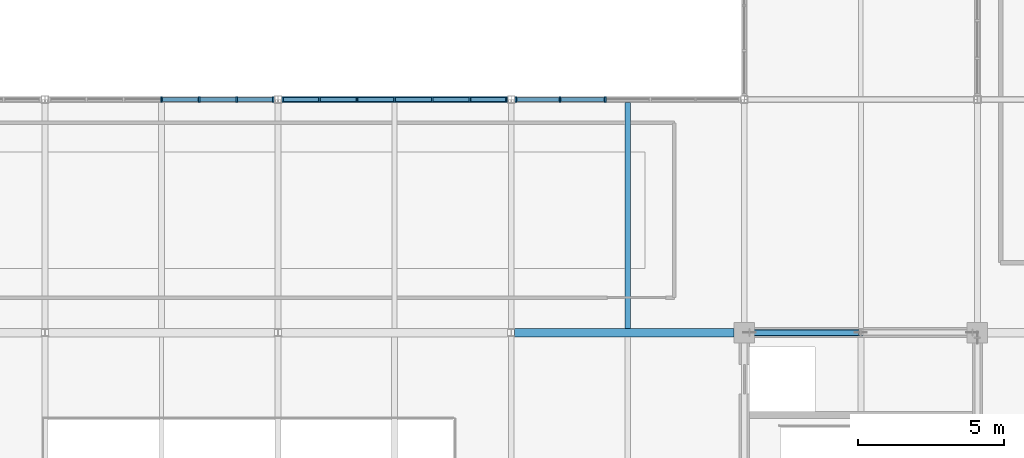
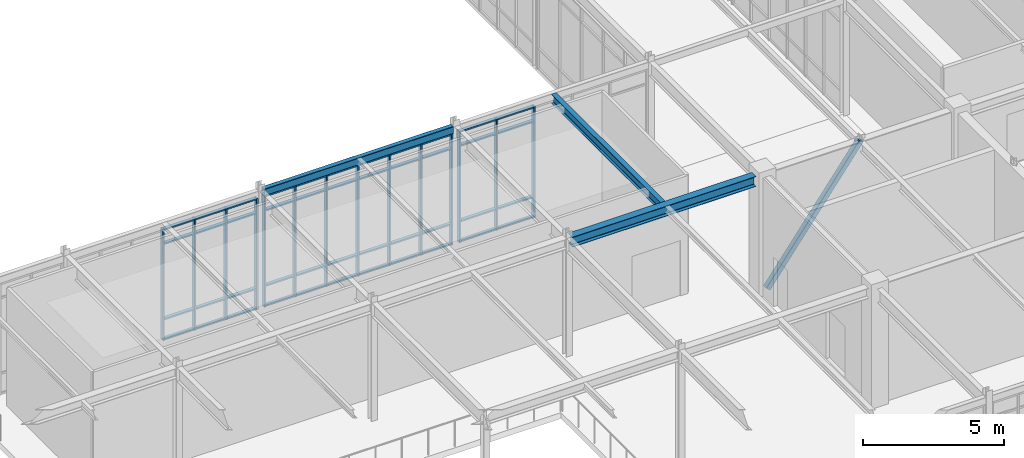
# One storey, part 54 of 184: 59 members, 3 beams, 3 elements without a shape of their own.
"""IFC4 building model written with IfcOpenShell, lengths in metres."""

from ifc_helpers import new_model, si_unit, direction, frame, origin, origin_2d, place, context, subcontext, project, spatial, rectangle, hollow_rectangle, i_section, extrude, material, material_profile, profile_set, type_object, element, aggregate, save


model = new_model("IFC4")

# Units and contexts
model_context = context("Model", 3, precision=1e-05, world=origin(), true_north=direction((0.0, 1.0)))
body_context = subcontext(model_context, "Body", "Model", "MODEL_VIEW")
ifc_project = project(units=[si_unit("LENGTHUNIT", "METRE"), si_unit("AREAUNIT", "SQUARE_METRE"), si_unit("VOLUMEUNIT", "CUBIC_METRE"), si_unit("PLANEANGLEUNIT", "RADIAN"), si_unit("MASSUNIT", "GRAM", prefix="KILO")], contexts=[model_context])

# Site, building, storey
site_placement = place(None, origin())
site = spatial("IfcSite", under=ifc_project, at=site_placement, CompositionType="ELEMENT")
building_placement = place(site_placement, origin())
building = spatial("IfcBuilding", under=site, at=building_placement, Name="Zhaolan Boulevard Law Courts", CompositionType="ELEMENT")
storey_placement = place(building_placement, frame((0.0, 0.0, 5.39990234375)))
storey = spatial("IfcBuildingStorey", under=building, at=storey_placement, Name="L01", CompositionType="ELEMENT", Elevation=5.39990234375)

# Member
ifc_material_1 = material(Name="Structural steel Q355B", Category="steel")
ifc_material_profile_1 = material_profile(ifc_material_1, hollow_rectangle(XDim=0.219970703125, YDim=0.219970703125, WallThickness=0.010009765625, InnerFilletRadius=0.010009765625, OuterFilletRadius=0.02001953125, at=origin_2d()), Name="HSS220x220x10")
ifc_profile_set_1 = profile_set([ifc_material_profile_1], Name="Structural steel Q355B")
member_type_1 = type_object("IfcMemberType", Name="BRACE HSS220", PredefinedType="BRACE", material=ifc_profile_set_1)
member_1_placement = place(storey_placement, frame((116.179931640625, 22.0, 0.030029296875), z_axis=(0.600251625626, 0.0, 0.799811218935), x_axis=(0.0, 1.0, 0.0)))
element("IfcMember", 1, at=member_1_placement, inside=storey, type_object=member_type_1, Name="Core Brace BR-P2-L01-N1", PredefinedType="BRACE", context=body_context, shape_type="SweptSolid", body=[
    extrude(hollow_rectangle(XDim=0.219970703125, YDim=0.219970703125, WallThickness=0.010009765625, InnerFilletRadius=0.010009765625, OuterFilletRadius=0.02001953125, at=origin_2d()), origin(), (0.0, 0.0, 1.0), 6.364013671875),
])

# Curtain wall, members
ifc_material_2 = material(Name="Thermally broken aluminium and low-E glazing", Category="aluminium")
curtain_wall_type_1 = type_object("IfcCurtainWallType", Name="CURTAIN WALL M5", PredefinedType="USERDEFINED", material=ifc_material_2)
curtain_wall_1_placement = place(storey_placement, origin())
curtain_wall_1 = element("IfcCurtainWall", 2, at=curtain_wall_1_placement, inside=storey, type_object=curtain_wall_type_1, Name="Curtain Wall CW-L01-053", ObjectType="CURTAIN WALL", PredefinedType="USERDEFINED")
ifc_material_3 = material(Name="Fluorocarbon-coated aluminium 6063-T6", Category="aluminium")
ifc_material_profile_2 = material_profile(ifc_material_3, rectangle(XDim=0.179931640625, YDim=0.06494140625, at=origin_2d()), Name="AL65x180")
ifc_profile_set_2 = profile_set([ifc_material_profile_2], Name="Fluorocarbon-coated aluminium 6063-T6")
member_type_2 = type_object("IfcMemberType", Name="CWMULLION 65X180", PredefinedType="MULLION", material=ifc_profile_set_2)
member_2_placement = place(storey_placement, frame((99.840576171875, 30.0, 0.0), z_axis=(0.0, 0.0, 1.0), x_axis=(0.0, -1.0, 0.0)))
member_2 = element("IfcMember", 3, at=member_2_placement, type_object=member_type_2, Name="CW-L01-053 mullion 1", PredefinedType="MULLION", context=body_context, shape_type="SweptSolid", body=[
    extrude(rectangle(XDim=0.179931640625, YDim=0.06494140625, at=origin_2d()), origin(), (0.0, 0.0, 1.0), 4.822998046875),
])
member_3_placement = place(storey_placement, frame((98.58203125, 30.0, 0.0), z_axis=(0.0, 0.0, 1.0), x_axis=(0.0, -1.0, 0.0)))
member_3 = element("IfcMember", 4, at=member_3_placement, type_object=member_type_2, Name="CW-L01-053 mullion 2", PredefinedType="MULLION", context=body_context, shape_type="SweptSolid", body=[
    extrude(rectangle(XDim=0.179931640625, YDim=0.06494140625, at=origin_2d()), origin(), (0.0, 0.0, 1.0), 4.822998046875),
])
member_4_placement = place(storey_placement, frame((97.291015625, 30.0, 0.0), z_axis=(0.0, 0.0, 1.0), x_axis=(0.0, -1.0, 0.0)))
member_4 = element("IfcMember", 5, at=member_4_placement, type_object=member_type_2, Name="CW-L01-053 mullion 3", PredefinedType="MULLION", context=body_context, shape_type="SweptSolid", body=[
    extrude(rectangle(XDim=0.179931640625, YDim=0.06494140625, at=origin_2d()), origin(), (0.0, 0.0, 1.0), 4.822998046875),
])
member_5_placement = place(storey_placement, frame((96.0, 30.0, 0.0), z_axis=(0.0, 0.0, 1.0), x_axis=(0.0, -1.0, 0.0)))
member_5 = element("IfcMember", 6, at=member_5_placement, type_object=member_type_2, Name="CW-L01-053 mullion 4", PredefinedType="MULLION", context=body_context, shape_type="SweptSolid", body=[
    extrude(rectangle(XDim=0.179931640625, YDim=0.06494140625, at=origin_2d()), origin(), (0.0, 0.0, 1.0), 4.822998046875),
])

ifc_material_4 = material(Name="Thermally broken aluminium and low-E glazing", Category="aluminium")
curtain_wall_type_2 = type_object("IfcCurtainWallType", Name="CURTAIN WALL M6", PredefinedType="USERDEFINED", material=ifc_material_4)
curtain_wall_2_placement = place(storey_placement, origin())
curtain_wall_2 = element("IfcCurtainWall", 7, at=curtain_wall_2_placement, inside=storey, type_object=curtain_wall_type_2, Name="Curtain Wall CW-L01-054", ObjectType="CURTAIN WALL", PredefinedType="USERDEFINED")
member_6_placement = place(storey_placement, frame((107.840576171875, 30.0, 0.0), z_axis=(0.0, 0.0, 1.0), x_axis=(0.0, -1.0, 0.0)))
member_6 = element("IfcMember", 8, at=member_6_placement, type_object=member_type_2, Name="CW-L01-054 mullion 1", PredefinedType="MULLION", context=body_context, shape_type="SweptSolid", body=[
    extrude(rectangle(XDim=0.179931640625, YDim=0.06494140625, at=origin_2d()), origin(), (0.0, 0.0, 1.0), 4.822998046875),
])
member_7_placement = place(storey_placement, frame((106.58203125, 30.0, 0.0), z_axis=(0.0, 0.0, 1.0), x_axis=(0.0, -1.0, 0.0)))
member_7 = element("IfcMember", 9, at=member_7_placement, type_object=member_type_2, Name="CW-L01-054 mullion 2", PredefinedType="MULLION", context=body_context, shape_type="SweptSolid", body=[
    extrude(rectangle(XDim=0.179931640625, YDim=0.06494140625, at=origin_2d()), origin(), (0.0, 0.0, 1.0), 4.822998046875),
])
member_8_placement = place(storey_placement, frame((105.291015625, 30.0, 0.0), z_axis=(0.0, 0.0, 1.0), x_axis=(0.0, -1.0, 0.0)))
member_8 = element("IfcMember", 10, at=member_8_placement, type_object=member_type_2, Name="CW-L01-054 mullion 3", PredefinedType="MULLION", context=body_context, shape_type="SweptSolid", body=[
    extrude(rectangle(XDim=0.179931640625, YDim=0.06494140625, at=origin_2d()), origin(), (0.0, 0.0, 1.0), 4.822998046875),
])
member_9_placement = place(storey_placement, frame((104.0, 30.0, 0.0), z_axis=(0.0, 0.0, 1.0), x_axis=(0.0, -1.0, 0.0)))
member_9 = element("IfcMember", 11, at=member_9_placement, type_object=member_type_2, Name="CW-L01-054 mullion 4", PredefinedType="MULLION", context=body_context, shape_type="SweptSolid", body=[
    extrude(rectangle(XDim=0.179931640625, YDim=0.06494140625, at=origin_2d()), origin(), (0.0, 0.0, 1.0), 4.822998046875),
])
member_10_placement = place(storey_placement, frame((102.708984375, 30.0, 0.0), z_axis=(0.0, 0.0, 1.0), x_axis=(0.0, -1.0, 0.0)))
member_10 = element("IfcMember", 12, at=member_10_placement, type_object=member_type_2, Name="CW-L01-054 mullion 5", PredefinedType="MULLION", context=body_context, shape_type="SweptSolid", body=[
    extrude(rectangle(XDim=0.179931640625, YDim=0.06494140625, at=origin_2d()), origin(), (0.0, 0.0, 1.0), 4.822998046875),
])
member_11_placement = place(storey_placement, frame((101.41796875, 30.0, 0.0), z_axis=(0.0, 0.0, 1.0), x_axis=(0.0, -1.0, 0.0)))
member_11 = element("IfcMember", 13, at=member_11_placement, type_object=member_type_2, Name="CW-L01-054 mullion 6", PredefinedType="MULLION", context=body_context, shape_type="SweptSolid", body=[
    extrude(rectangle(XDim=0.179931640625, YDim=0.06494140625, at=origin_2d()), origin(), (0.0, 0.0, 1.0), 4.822998046875),
])
member_12_placement = place(storey_placement, frame((100.159423828125, 30.0, 0.0), z_axis=(0.0, 0.0, 1.0), x_axis=(0.0, -1.0, 0.0)))
member_12 = element("IfcMember", 14, at=member_12_placement, type_object=member_type_2, Name="CW-L01-054 mullion 7", PredefinedType="MULLION", context=body_context, shape_type="SweptSolid", body=[
    extrude(rectangle(XDim=0.179931640625, YDim=0.06494140625, at=origin_2d()), origin(), (0.0, 0.0, 1.0), 4.822998046875),
])

ifc_material_5 = material(Name="Thermally broken aluminium and low-E glazing", Category="aluminium")
curtain_wall_type_3 = type_object("IfcCurtainWallType", Name="CURTAIN WALL M7", PredefinedType="USERDEFINED", material=ifc_material_5)
curtain_wall_3_placement = place(storey_placement, origin())
curtain_wall_3 = element("IfcCurtainWall", 15, at=curtain_wall_3_placement, inside=storey, type_object=curtain_wall_type_3, Name="Curtain Wall CW-L01-055", ObjectType="CURTAIN WALL", PredefinedType="USERDEFINED")
member_13_placement = place(storey_placement, frame((111.225341796875, 30.0, 0.0), z_axis=(0.0, 0.0, 1.0), x_axis=(0.0, -1.0, 0.0)))
member_13 = element("IfcMember", 16, at=member_13_placement, type_object=member_type_2, Name="CW-L01-055 mullion 4", PredefinedType="MULLION", context=body_context, shape_type="SweptSolid", body=[
    extrude(rectangle(XDim=0.179931640625, YDim=0.06494140625, at=origin_2d()), origin(), (0.0, 0.0, 1.0), 4.822998046875),
])
member_14_placement = place(storey_placement, frame((109.67626953125, 30.0, 0.0), z_axis=(0.0, 0.0, 1.0), x_axis=(0.0, -1.0, 0.0)))
member_14 = element("IfcMember", 17, at=member_14_placement, type_object=member_type_2, Name="CW-L01-055 mullion 5", PredefinedType="MULLION", context=body_context, shape_type="SweptSolid", body=[
    extrude(rectangle(XDim=0.179931640625, YDim=0.06494140625, at=origin_2d()), origin(), (0.0, 0.0, 1.0), 4.822998046875),
])
member_15_placement = place(storey_placement, frame((108.159423828125, 30.0, 0.0), z_axis=(0.0, 0.0, 1.0), x_axis=(0.0, -1.0, 0.0)))
member_15 = element("IfcMember", 18, at=member_15_placement, type_object=member_type_2, Name="CW-L01-055 mullion 6", PredefinedType="MULLION", context=body_context, shape_type="SweptSolid", body=[
    extrude(rectangle(XDim=0.179931640625, YDim=0.06494140625, at=origin_2d()), origin(), (0.0, 0.0, 1.0), 4.822998046875),
])

# Member
ifc_material_6 = material(Name="Fluorocarbon-coated aluminium 6063-T6", Category="aluminium")
ifc_material_profile_3 = material_profile(ifc_material_6, rectangle(XDim=0.139892578125, YDim=0.06494140625, at=origin_2d()), Name="AL65x140")
ifc_profile_set_3 = profile_set([ifc_material_profile_3], Name="Fluorocarbon-coated aluminium 6063-T6")
member_type_3 = type_object("IfcMemberType", Name="CWTRANSOM 65X140", PredefinedType="USERDEFINED", material=ifc_profile_set_3)
member_16_placement = place(storey_placement, frame((99.80810546875, 30.0, 0.03271484375), z_axis=(-1.0, 0.0, 0.0), x_axis=(0.0, -1.0, 0.0)))
member_16 = element("IfcMember", 19, at=member_16_placement, type_object=member_type_3, Name="CW-L01-053 transom 1.1", ObjectType="TRANSOM", PredefinedType="USERDEFINED", context=body_context, shape_type="SweptSolid", body=[
    extrude(rectangle(XDim=0.139892578125, YDim=0.06494140625, at=origin_2d()), origin(), (0.0, 0.0, 1.0), 1.193603515625),
])

member_17_placement = place(storey_placement, frame((99.80810546875, 30.0, 0.900146484375), z_axis=(-1.0, 0.0, 0.0), x_axis=(0.0, -1.0, 0.0)))
member_17 = element("IfcMember", 20, at=member_17_placement, type_object=member_type_3, Name="CW-L01-053 transom 1.2", ObjectType="TRANSOM", PredefinedType="USERDEFINED", context=body_context, shape_type="SweptSolid", body=[
    extrude(rectangle(XDim=0.139892578125, YDim=0.06494140625, at=origin_2d()), origin(), (0.0, 0.0, 1.0), 1.193603515625),
])

member_18_placement = place(storey_placement, frame((99.80810546875, 30.0, 4.173095703125), z_axis=(-1.0, 0.0, 0.0), x_axis=(0.0, -1.0, 0.0)))
member_18 = element("IfcMember", 21, at=member_18_placement, type_object=member_type_3, Name="CW-L01-053 transom 1.3", ObjectType="TRANSOM", PredefinedType="USERDEFINED", context=body_context, shape_type="SweptSolid", body=[
    extrude(rectangle(XDim=0.139892578125, YDim=0.06494140625, at=origin_2d()), origin(), (0.0, 0.0, 1.0), 1.193603515625),
])

member_19_placement = place(storey_placement, frame((99.80810546875, 30.0, 4.79052734375), z_axis=(-1.0, 0.0, 0.0), x_axis=(0.0, -1.0, 0.0)))
member_19 = element("IfcMember", 22, at=member_19_placement, type_object=member_type_3, Name="CW-L01-053 transom 1.4", ObjectType="TRANSOM", PredefinedType="USERDEFINED", context=body_context, shape_type="SweptSolid", body=[
    extrude(rectangle(XDim=0.139892578125, YDim=0.06494140625, at=origin_2d()), origin(), (0.0, 0.0, 1.0), 1.193603515625),
])

member_20_placement = place(storey_placement, frame((98.549560546875, 30.0, 0.03271484375), z_axis=(-1.0, 0.0, 0.0), x_axis=(0.0, -1.0, 0.0)))
member_20 = element("IfcMember", 23, at=member_20_placement, type_object=member_type_3, Name="CW-L01-053 transom 2.1", ObjectType="TRANSOM", PredefinedType="USERDEFINED", context=body_context, shape_type="SweptSolid", body=[
    extrude(rectangle(XDim=0.139892578125, YDim=0.06494140625, at=origin_2d()), origin(), (0.0, 0.0, 1.0), 1.22607421875),
])

member_21_placement = place(storey_placement, frame((98.549560546875, 30.0, 0.900146484375), z_axis=(-1.0, 0.0, 0.0), x_axis=(0.0, -1.0, 0.0)))
member_21 = element("IfcMember", 24, at=member_21_placement, type_object=member_type_3, Name="CW-L01-053 transom 2.2", ObjectType="TRANSOM", PredefinedType="USERDEFINED", context=body_context, shape_type="SweptSolid", body=[
    extrude(rectangle(XDim=0.139892578125, YDim=0.06494140625, at=origin_2d()), origin(), (0.0, 0.0, 1.0), 1.22607421875),
])

member_22_placement = place(storey_placement, frame((98.549560546875, 30.0, 4.173095703125), z_axis=(-1.0, 0.0, 0.0), x_axis=(0.0, -1.0, 0.0)))
member_22 = element("IfcMember", 25, at=member_22_placement, type_object=member_type_3, Name="CW-L01-053 transom 2.3", ObjectType="TRANSOM", PredefinedType="USERDEFINED", context=body_context, shape_type="SweptSolid", body=[
    extrude(rectangle(XDim=0.139892578125, YDim=0.06494140625, at=origin_2d()), origin(), (0.0, 0.0, 1.0), 1.22607421875),
])

member_23_placement = place(storey_placement, frame((98.549560546875, 30.0, 4.79052734375), z_axis=(-1.0, 0.0, 0.0), x_axis=(0.0, -1.0, 0.0)))
member_23 = element("IfcMember", 26, at=member_23_placement, type_object=member_type_3, Name="CW-L01-053 transom 2.4", ObjectType="TRANSOM", PredefinedType="USERDEFINED", context=body_context, shape_type="SweptSolid", body=[
    extrude(rectangle(XDim=0.139892578125, YDim=0.06494140625, at=origin_2d()), origin(), (0.0, 0.0, 1.0), 1.22607421875),
])

member_24_placement = place(storey_placement, frame((97.258544921875, 30.0, 0.03271484375), z_axis=(-1.0, 0.0, 0.0), x_axis=(0.0, -1.0, 0.0)))
member_24 = element("IfcMember", 27, at=member_24_placement, type_object=member_type_3, Name="CW-L01-053 transom 3.1", ObjectType="TRANSOM", PredefinedType="USERDEFINED", context=body_context, shape_type="SweptSolid", body=[
    extrude(rectangle(XDim=0.139892578125, YDim=0.06494140625, at=origin_2d()), origin(), (0.0, 0.0, 1.0), 1.22607421875),
])

member_25_placement = place(storey_placement, frame((97.258544921875, 30.0, 0.900146484375), z_axis=(-1.0, 0.0, 0.0), x_axis=(0.0, -1.0, 0.0)))
member_25 = element("IfcMember", 28, at=member_25_placement, type_object=member_type_3, Name="CW-L01-053 transom 3.2", ObjectType="TRANSOM", PredefinedType="USERDEFINED", context=body_context, shape_type="SweptSolid", body=[
    extrude(rectangle(XDim=0.139892578125, YDim=0.06494140625, at=origin_2d()), origin(), (0.0, 0.0, 1.0), 1.22607421875),
])

member_26_placement = place(storey_placement, frame((97.258544921875, 30.0, 4.173095703125), z_axis=(-1.0, 0.0, 0.0), x_axis=(0.0, -1.0, 0.0)))
member_26 = element("IfcMember", 29, at=member_26_placement, type_object=member_type_3, Name="CW-L01-053 transom 3.3", ObjectType="TRANSOM", PredefinedType="USERDEFINED", context=body_context, shape_type="SweptSolid", body=[
    extrude(rectangle(XDim=0.139892578125, YDim=0.06494140625, at=origin_2d()), origin(), (0.0, 0.0, 1.0), 1.22607421875),
])

member_27_placement = place(storey_placement, frame((97.258544921875, 30.0, 4.79052734375), z_axis=(-1.0, 0.0, 0.0), x_axis=(0.0, -1.0, 0.0)))
member_27 = element("IfcMember", 30, at=member_27_placement, type_object=member_type_3, Name="CW-L01-053 transom 3.4", ObjectType="TRANSOM", PredefinedType="USERDEFINED", context=body_context, shape_type="SweptSolid", body=[
    extrude(rectangle(XDim=0.139892578125, YDim=0.06494140625, at=origin_2d()), origin(), (0.0, 0.0, 1.0), 1.22607421875),
])

aggregate(curtain_wall_1, [member_2, member_3, member_4, member_5, member_16, member_17, member_18, member_19, member_20, member_21, member_22, member_23, member_24, member_25, member_26, member_27])

member_28_placement = place(storey_placement, frame((107.80810546875, 30.0, 0.03271484375), z_axis=(-1.0, 0.0, 0.0), x_axis=(0.0, -1.0, 0.0)))
member_28 = element("IfcMember", 31, at=member_28_placement, type_object=member_type_3, Name="CW-L01-054 transom 1.1", ObjectType="TRANSOM", PredefinedType="USERDEFINED", context=body_context, shape_type="SweptSolid", body=[
    extrude(rectangle(XDim=0.139892578125, YDim=0.06494140625, at=origin_2d()), origin(), (0.0, 0.0, 1.0), 1.193603515625),
])

member_29_placement = place(storey_placement, frame((107.80810546875, 30.0, 0.900146484375), z_axis=(-1.0, 0.0, 0.0), x_axis=(0.0, -1.0, 0.0)))
member_29 = element("IfcMember", 32, at=member_29_placement, type_object=member_type_3, Name="CW-L01-054 transom 1.2", ObjectType="TRANSOM", PredefinedType="USERDEFINED", context=body_context, shape_type="SweptSolid", body=[
    extrude(rectangle(XDim=0.139892578125, YDim=0.06494140625, at=origin_2d()), origin(), (0.0, 0.0, 1.0), 1.193603515625),
])

member_30_placement = place(storey_placement, frame((107.80810546875, 30.0, 4.173095703125), z_axis=(-1.0, 0.0, 0.0), x_axis=(0.0, -1.0, 0.0)))
member_30 = element("IfcMember", 33, at=member_30_placement, type_object=member_type_3, Name="CW-L01-054 transom 1.3", ObjectType="TRANSOM", PredefinedType="USERDEFINED", context=body_context, shape_type="SweptSolid", body=[
    extrude(rectangle(XDim=0.139892578125, YDim=0.06494140625, at=origin_2d()), origin(), (0.0, 0.0, 1.0), 1.193603515625),
])

member_31_placement = place(storey_placement, frame((107.80810546875, 30.0, 4.79052734375), z_axis=(-1.0, 0.0, 0.0), x_axis=(0.0, -1.0, 0.0)))
member_31 = element("IfcMember", 34, at=member_31_placement, type_object=member_type_3, Name="CW-L01-054 transom 1.4", ObjectType="TRANSOM", PredefinedType="USERDEFINED", context=body_context, shape_type="SweptSolid", body=[
    extrude(rectangle(XDim=0.139892578125, YDim=0.06494140625, at=origin_2d()), origin(), (0.0, 0.0, 1.0), 1.193603515625),
])

member_32_placement = place(storey_placement, frame((106.549560546875, 30.0, 0.03271484375), z_axis=(-1.0, 0.0, 0.0), x_axis=(0.0, -1.0, 0.0)))
member_32 = element("IfcMember", 35, at=member_32_placement, type_object=member_type_3, Name="CW-L01-054 transom 2.1", ObjectType="TRANSOM", PredefinedType="USERDEFINED", context=body_context, shape_type="SweptSolid", body=[
    extrude(rectangle(XDim=0.139892578125, YDim=0.06494140625, at=origin_2d()), origin(), (0.0, 0.0, 1.0), 1.22607421875),
])

member_33_placement = place(storey_placement, frame((106.549560546875, 30.0, 0.900146484375), z_axis=(-1.0, 0.0, 0.0), x_axis=(0.0, -1.0, 0.0)))
member_33 = element("IfcMember", 36, at=member_33_placement, type_object=member_type_3, Name="CW-L01-054 transom 2.2", ObjectType="TRANSOM", PredefinedType="USERDEFINED", context=body_context, shape_type="SweptSolid", body=[
    extrude(rectangle(XDim=0.139892578125, YDim=0.06494140625, at=origin_2d()), origin(), (0.0, 0.0, 1.0), 1.22607421875),
])

member_34_placement = place(storey_placement, frame((106.549560546875, 30.0, 4.173095703125), z_axis=(-1.0, 0.0, 0.0), x_axis=(0.0, -1.0, 0.0)))
member_34 = element("IfcMember", 37, at=member_34_placement, type_object=member_type_3, Name="CW-L01-054 transom 2.3", ObjectType="TRANSOM", PredefinedType="USERDEFINED", context=body_context, shape_type="SweptSolid", body=[
    extrude(rectangle(XDim=0.139892578125, YDim=0.06494140625, at=origin_2d()), origin(), (0.0, 0.0, 1.0), 1.22607421875),
])

member_35_placement = place(storey_placement, frame((106.549560546875, 30.0, 4.79052734375), z_axis=(-1.0, 0.0, 0.0), x_axis=(0.0, -1.0, 0.0)))
member_35 = element("IfcMember", 38, at=member_35_placement, type_object=member_type_3, Name="CW-L01-054 transom 2.4", ObjectType="TRANSOM", PredefinedType="USERDEFINED", context=body_context, shape_type="SweptSolid", body=[
    extrude(rectangle(XDim=0.139892578125, YDim=0.06494140625, at=origin_2d()), origin(), (0.0, 0.0, 1.0), 1.22607421875),
])

member_36_placement = place(storey_placement, frame((105.258544921875, 30.0, 0.03271484375), z_axis=(-1.0, 0.0, 0.0), x_axis=(0.0, -1.0, 0.0)))
member_36 = element("IfcMember", 39, at=member_36_placement, type_object=member_type_3, Name="CW-L01-054 transom 3.1", ObjectType="TRANSOM", PredefinedType="USERDEFINED", context=body_context, shape_type="SweptSolid", body=[
    extrude(rectangle(XDim=0.139892578125, YDim=0.06494140625, at=origin_2d()), origin(), (0.0, 0.0, 1.0), 1.22607421875),
])

member_37_placement = place(storey_placement, frame((105.258544921875, 30.0, 0.900146484375), z_axis=(-1.0, 0.0, 0.0), x_axis=(0.0, -1.0, 0.0)))
member_37 = element("IfcMember", 40, at=member_37_placement, type_object=member_type_3, Name="CW-L01-054 transom 3.2", ObjectType="TRANSOM", PredefinedType="USERDEFINED", context=body_context, shape_type="SweptSolid", body=[
    extrude(rectangle(XDim=0.139892578125, YDim=0.06494140625, at=origin_2d()), origin(), (0.0, 0.0, 1.0), 1.22607421875),
])

member_38_placement = place(storey_placement, frame((105.258544921875, 30.0, 4.173095703125), z_axis=(-1.0, 0.0, 0.0), x_axis=(0.0, -1.0, 0.0)))
member_38 = element("IfcMember", 41, at=member_38_placement, type_object=member_type_3, Name="CW-L01-054 transom 3.3", ObjectType="TRANSOM", PredefinedType="USERDEFINED", context=body_context, shape_type="SweptSolid", body=[
    extrude(rectangle(XDim=0.139892578125, YDim=0.06494140625, at=origin_2d()), origin(), (0.0, 0.0, 1.0), 1.22607421875),
])

member_39_placement = place(storey_placement, frame((105.258544921875, 30.0, 4.79052734375), z_axis=(-1.0, 0.0, 0.0), x_axis=(0.0, -1.0, 0.0)))
member_39 = element("IfcMember", 42, at=member_39_placement, type_object=member_type_3, Name="CW-L01-054 transom 3.4", ObjectType="TRANSOM", PredefinedType="USERDEFINED", context=body_context, shape_type="SweptSolid", body=[
    extrude(rectangle(XDim=0.139892578125, YDim=0.06494140625, at=origin_2d()), origin(), (0.0, 0.0, 1.0), 1.22607421875),
])

member_40_placement = place(storey_placement, frame((103.967529296875, 30.0, 0.03271484375), z_axis=(-1.0, 0.0, 0.0), x_axis=(0.0, -1.0, 0.0)))
member_40 = element("IfcMember", 43, at=member_40_placement, type_object=member_type_3, Name="CW-L01-054 transom 4.1", ObjectType="TRANSOM", PredefinedType="USERDEFINED", context=body_context, shape_type="SweptSolid", body=[
    extrude(rectangle(XDim=0.139892578125, YDim=0.06494140625, at=origin_2d()), origin(), (0.0, 0.0, 1.0), 1.22607421875),
])

member_41_placement = place(storey_placement, frame((103.967529296875, 30.0, 0.900146484375), z_axis=(-1.0, 0.0, 0.0), x_axis=(0.0, -1.0, 0.0)))
member_41 = element("IfcMember", 44, at=member_41_placement, type_object=member_type_3, Name="CW-L01-054 transom 4.2", ObjectType="TRANSOM", PredefinedType="USERDEFINED", context=body_context, shape_type="SweptSolid", body=[
    extrude(rectangle(XDim=0.139892578125, YDim=0.06494140625, at=origin_2d()), origin(), (0.0, 0.0, 1.0), 1.22607421875),
])

member_42_placement = place(storey_placement, frame((103.967529296875, 30.0, 4.173095703125), z_axis=(-1.0, 0.0, 0.0), x_axis=(0.0, -1.0, 0.0)))
member_42 = element("IfcMember", 45, at=member_42_placement, type_object=member_type_3, Name="CW-L01-054 transom 4.3", ObjectType="TRANSOM", PredefinedType="USERDEFINED", context=body_context, shape_type="SweptSolid", body=[
    extrude(rectangle(XDim=0.139892578125, YDim=0.06494140625, at=origin_2d()), origin(), (0.0, 0.0, 1.0), 1.22607421875),
])

member_43_placement = place(storey_placement, frame((103.967529296875, 30.0, 4.79052734375), z_axis=(-1.0, 0.0, 0.0), x_axis=(0.0, -1.0, 0.0)))
member_43 = element("IfcMember", 46, at=member_43_placement, type_object=member_type_3, Name="CW-L01-054 transom 4.4", ObjectType="TRANSOM", PredefinedType="USERDEFINED", context=body_context, shape_type="SweptSolid", body=[
    extrude(rectangle(XDim=0.139892578125, YDim=0.06494140625, at=origin_2d()), origin(), (0.0, 0.0, 1.0), 1.22607421875),
])

member_44_placement = place(storey_placement, frame((102.676513671875, 30.0, 0.03271484375), z_axis=(-1.0, 0.0, 0.0), x_axis=(0.0, -1.0, 0.0)))
member_44 = element("IfcMember", 47, at=member_44_placement, type_object=member_type_3, Name="CW-L01-054 transom 5.1", ObjectType="TRANSOM", PredefinedType="USERDEFINED", context=body_context, shape_type="SweptSolid", body=[
    extrude(rectangle(XDim=0.139892578125, YDim=0.06494140625, at=origin_2d()), origin(), (0.0, 0.0, 1.0), 1.22607421875),
])

member_45_placement = place(storey_placement, frame((102.676513671875, 30.0, 0.900146484375), z_axis=(-1.0, 0.0, 0.0), x_axis=(0.0, -1.0, 0.0)))
member_45 = element("IfcMember", 48, at=member_45_placement, type_object=member_type_3, Name="CW-L01-054 transom 5.2", ObjectType="TRANSOM", PredefinedType="USERDEFINED", context=body_context, shape_type="SweptSolid", body=[
    extrude(rectangle(XDim=0.139892578125, YDim=0.06494140625, at=origin_2d()), origin(), (0.0, 0.0, 1.0), 1.22607421875),
])

member_46_placement = place(storey_placement, frame((102.676513671875, 30.0, 4.173095703125), z_axis=(-1.0, 0.0, 0.0), x_axis=(0.0, -1.0, 0.0)))
member_46 = element("IfcMember", 49, at=member_46_placement, type_object=member_type_3, Name="CW-L01-054 transom 5.3", ObjectType="TRANSOM", PredefinedType="USERDEFINED", context=body_context, shape_type="SweptSolid", body=[
    extrude(rectangle(XDim=0.139892578125, YDim=0.06494140625, at=origin_2d()), origin(), (0.0, 0.0, 1.0), 1.22607421875),
])

member_47_placement = place(storey_placement, frame((102.676513671875, 30.0, 4.79052734375), z_axis=(-1.0, 0.0, 0.0), x_axis=(0.0, -1.0, 0.0)))
member_47 = element("IfcMember", 50, at=member_47_placement, type_object=member_type_3, Name="CW-L01-054 transom 5.4", ObjectType="TRANSOM", PredefinedType="USERDEFINED", context=body_context, shape_type="SweptSolid", body=[
    extrude(rectangle(XDim=0.139892578125, YDim=0.06494140625, at=origin_2d()), origin(), (0.0, 0.0, 1.0), 1.22607421875),
])

member_48_placement = place(storey_placement, frame((101.385498046875, 30.0, 0.03271484375), z_axis=(-1.0, 0.0, 0.0), x_axis=(0.0, -1.0, 0.0)))
member_48 = element("IfcMember", 51, at=member_48_placement, type_object=member_type_3, Name="CW-L01-054 transom 6.1", ObjectType="TRANSOM", PredefinedType="USERDEFINED", context=body_context, shape_type="SweptSolid", body=[
    extrude(rectangle(XDim=0.139892578125, YDim=0.06494140625, at=origin_2d()), origin(), (0.0, 0.0, 1.0), 1.193603515625),
])

member_49_placement = place(storey_placement, frame((101.385498046875, 30.0, 0.900146484375), z_axis=(-1.0, 0.0, 0.0), x_axis=(0.0, -1.0, 0.0)))
member_49 = element("IfcMember", 52, at=member_49_placement, type_object=member_type_3, Name="CW-L01-054 transom 6.2", ObjectType="TRANSOM", PredefinedType="USERDEFINED", context=body_context, shape_type="SweptSolid", body=[
    extrude(rectangle(XDim=0.139892578125, YDim=0.06494140625, at=origin_2d()), origin(), (0.0, 0.0, 1.0), 1.193603515625),
])

member_50_placement = place(storey_placement, frame((101.385498046875, 30.0, 4.173095703125), z_axis=(-1.0, 0.0, 0.0), x_axis=(0.0, -1.0, 0.0)))
member_50 = element("IfcMember", 53, at=member_50_placement, type_object=member_type_3, Name="CW-L01-054 transom 6.3", ObjectType="TRANSOM", PredefinedType="USERDEFINED", context=body_context, shape_type="SweptSolid", body=[
    extrude(rectangle(XDim=0.139892578125, YDim=0.06494140625, at=origin_2d()), origin(), (0.0, 0.0, 1.0), 1.193603515625),
])

member_51_placement = place(storey_placement, frame((101.385498046875, 30.0, 4.79052734375), z_axis=(-1.0, 0.0, 0.0), x_axis=(0.0, -1.0, 0.0)))
member_51 = element("IfcMember", 54, at=member_51_placement, type_object=member_type_3, Name="CW-L01-054 transom 6.4", ObjectType="TRANSOM", PredefinedType="USERDEFINED", context=body_context, shape_type="SweptSolid", body=[
    extrude(rectangle(XDim=0.139892578125, YDim=0.06494140625, at=origin_2d()), origin(), (0.0, 0.0, 1.0), 1.193603515625),
])

aggregate(curtain_wall_2, [member_6, member_7, member_8, member_9, member_10, member_11, member_12, member_28, member_29, member_30, member_31, member_32, member_33, member_34, member_35, member_36, member_37, member_38, member_39, member_40, member_41, member_42, member_43, member_44, member_45, member_46, member_47, member_48, member_49, member_50, member_51])

member_52_placement = place(storey_placement, frame((111.19287109375, 30.0, 0.03271484375), z_axis=(-1.0, 0.0, 0.0), x_axis=(0.0, -1.0, 0.0)))
member_52 = element("IfcMember", 55, at=member_52_placement, type_object=member_type_3, Name="CW-L01-055 transom 4.1", ObjectType="TRANSOM", PredefinedType="USERDEFINED", context=body_context, shape_type="SweptSolid", body=[
    extrude(rectangle(XDim=0.139892578125, YDim=0.06494140625, at=origin_2d()), origin(), (0.0, 0.0, 1.0), 1.484130859375),
])

member_53_placement = place(storey_placement, frame((111.19287109375, 30.0, 0.900146484375), z_axis=(-1.0, 0.0, 0.0), x_axis=(0.0, -1.0, 0.0)))
member_53 = element("IfcMember", 56, at=member_53_placement, type_object=member_type_3, Name="CW-L01-055 transom 4.2", ObjectType="TRANSOM", PredefinedType="USERDEFINED", context=body_context, shape_type="SweptSolid", body=[
    extrude(rectangle(XDim=0.139892578125, YDim=0.06494140625, at=origin_2d()), origin(), (0.0, 0.0, 1.0), 1.484130859375),
])

member_54_placement = place(storey_placement, frame((111.19287109375, 30.0, 4.173095703125), z_axis=(-1.0, 0.0, 0.0), x_axis=(0.0, -1.0, 0.0)))
member_54 = element("IfcMember", 57, at=member_54_placement, type_object=member_type_3, Name="CW-L01-055 transom 4.3", ObjectType="TRANSOM", PredefinedType="USERDEFINED", context=body_context, shape_type="SweptSolid", body=[
    extrude(rectangle(XDim=0.139892578125, YDim=0.06494140625, at=origin_2d()), origin(), (0.0, 0.0, 1.0), 1.484130859375),
])

member_55_placement = place(storey_placement, frame((111.19287109375, 30.0, 4.79052734375), z_axis=(-1.0, 0.0, 0.0), x_axis=(0.0, -1.0, 0.0)))
member_55 = element("IfcMember", 58, at=member_55_placement, type_object=member_type_3, Name="CW-L01-055 transom 4.4", ObjectType="TRANSOM", PredefinedType="USERDEFINED", context=body_context, shape_type="SweptSolid", body=[
    extrude(rectangle(XDim=0.139892578125, YDim=0.06494140625, at=origin_2d()), origin(), (0.0, 0.0, 1.0), 1.484130859375),
])

member_56_placement = place(storey_placement, frame((109.643798828125, 30.0, 0.03271484375), z_axis=(-1.0, 0.0, 0.0), x_axis=(0.0, -1.0, 0.0)))
member_56 = element("IfcMember", 59, at=member_56_placement, type_object=member_type_3, Name="CW-L01-055 transom 5.1", ObjectType="TRANSOM", PredefinedType="USERDEFINED", context=body_context, shape_type="SweptSolid", body=[
    extrude(rectangle(XDim=0.139892578125, YDim=0.06494140625, at=origin_2d()), origin(), (0.0, 0.0, 1.0), 1.451904296875),
])

member_57_placement = place(storey_placement, frame((109.643798828125, 30.0, 0.900146484375), z_axis=(-1.0, 0.0, 0.0), x_axis=(0.0, -1.0, 0.0)))
member_57 = element("IfcMember", 60, at=member_57_placement, type_object=member_type_3, Name="CW-L01-055 transom 5.2", ObjectType="TRANSOM", PredefinedType="USERDEFINED", context=body_context, shape_type="SweptSolid", body=[
    extrude(rectangle(XDim=0.139892578125, YDim=0.06494140625, at=origin_2d()), origin(), (0.0, 0.0, 1.0), 1.451904296875),
])

member_58_placement = place(storey_placement, frame((109.643798828125, 30.0, 4.173095703125), z_axis=(-1.0, 0.0, 0.0), x_axis=(0.0, -1.0, 0.0)))
member_58 = element("IfcMember", 61, at=member_58_placement, type_object=member_type_3, Name="CW-L01-055 transom 5.3", ObjectType="TRANSOM", PredefinedType="USERDEFINED", context=body_context, shape_type="SweptSolid", body=[
    extrude(rectangle(XDim=0.139892578125, YDim=0.06494140625, at=origin_2d()), origin(), (0.0, 0.0, 1.0), 1.451904296875),
])

member_59_placement = place(storey_placement, frame((109.643798828125, 30.0, 4.79052734375), z_axis=(-1.0, 0.0, 0.0), x_axis=(0.0, -1.0, 0.0)))
member_59 = element("IfcMember", 62, at=member_59_placement, type_object=member_type_3, Name="CW-L01-055 transom 5.4", ObjectType="TRANSOM", PredefinedType="USERDEFINED", context=body_context, shape_type="SweptSolid", body=[
    extrude(rectangle(XDim=0.139892578125, YDim=0.06494140625, at=origin_2d()), origin(), (0.0, 0.0, 1.0), 1.451904296875),
])

aggregate(curtain_wall_3, [member_13, member_14, member_15, member_52, member_53, member_54, member_55, member_56, member_57, member_58, member_59])

# Beams
ifc_material_7 = material(Name="Structural steel Q355B", Category="steel")
ifc_material_profile_4 = material_profile(ifc_material_7, i_section(OverallWidth=0.300048828125, OverallDepth=0.43994140625, WebThickness=0.010986328125, FlangeThickness=0.01806640625, FilletRadius=0.02001953125, at=origin_2d()), Name="HM440x300")
ifc_profile_set_4 = profile_set([ifc_material_profile_4], Name="Structural steel Q355B")
beam_type_1 = type_object("IfcBeamType", Name="GIRDER HM440", PredefinedType="BEAM", material=ifc_profile_set_4)
beam_1_placement = place(storey_placement, frame((108.12109375, 22.0, 4.918212890625), z_axis=(1.0, 0.0, 0.0), x_axis=(0.0, 1.0, 0.0)))
element("IfcBeam", 63, at=beam_1_placement, inside=storey, type_object=beam_type_1, Name="Beam BX-L02-14-15-D", PredefinedType="BEAM", context=body_context, shape_type="SweptSolid", body=[
    extrude(i_section(OverallWidth=0.300048828125, OverallDepth=0.43994140625, WebThickness=0.010986328125, FlangeThickness=0.01806640625, FilletRadius=0.02001953125, at=origin_2d()), origin(), (0.0, 0.0, 1.0), 7.532958984375),
])
ifc_material_8 = material(Name="Structural steel Q355B", Category="steel")
ifc_material_profile_5 = material_profile(ifc_material_8, i_section(OverallWidth=0.199951171875, OverallDepth=0.39990234375, WebThickness=0.008056640625, FlangeThickness=0.012939453125, FilletRadius=0.013916015625, at=origin_2d()), Name="HN400x200")
ifc_profile_set_5 = profile_set([ifc_material_profile_5], Name="Structural steel Q355B")
beam_type_2 = type_object("IfcBeamType", Name="JOIST HN400", PredefinedType="JOIST", material=ifc_profile_set_5)
beam_2_placement = place(storey_placement, frame((112.0, 22.14599609375, 4.93798828125), z_axis=(0.0, 1.0, 0.0), x_axis=(-1.0, 0.0, 0.0)))
element("IfcBeam", 64, at=beam_2_placement, inside=storey, type_object=beam_type_2, Name="Composite Joist J-L02-14D", PredefinedType="JOIST", context=body_context, shape_type="SweptSolid", body=[
    extrude(i_section(OverallWidth=0.199951171875, OverallDepth=0.39990234375, WebThickness=0.008056640625, FlangeThickness=0.012939453125, FilletRadius=0.013916015625, at=origin_2d()), origin(), (0.0, 0.0, 1.0), 7.758056640625),
])
ifc_material_9 = material(Name="Structural steel Q355B", Category="steel")
ifc_material_profile_6 = material_profile(ifc_material_9, hollow_rectangle(XDim=0.199951171875, YDim=0.300048828125, WallThickness=0.011962890625, InnerFilletRadius=0.011962890625, OuterFilletRadius=0.02392578125, at=origin_2d()), Name="HSS300x200x12")
ifc_profile_set_6 = profile_set([ifc_material_profile_6], Name="Structural steel Q355B")
beam_type_3 = type_object("IfcBeamType", Name="SPANDREL HSS300", PredefinedType="SPANDREL", material=ifc_profile_set_6)
beam_3_placement = place(storey_placement, frame((100.12109375, 30.0, 4.988037109375), z_axis=(1.0, 0.0, 0.0), x_axis=(0.0, 1.0, 0.0)))
element("IfcBeam", 65, at=beam_3_placement, inside=storey, type_object=beam_type_3, Name="Beam BX-L02-13-14-E", PredefinedType="SPANDREL", context=body_context, shape_type="SweptSolid", body=[
    extrude(hollow_rectangle(XDim=0.199951171875, YDim=0.300048828125, WallThickness=0.011962890625, InnerFilletRadius=0.011962890625, OuterFilletRadius=0.02392578125, at=origin_2d()), origin(), (0.0, 0.0, 1.0), 7.7578125),
])

save(model, "model.ifc")
